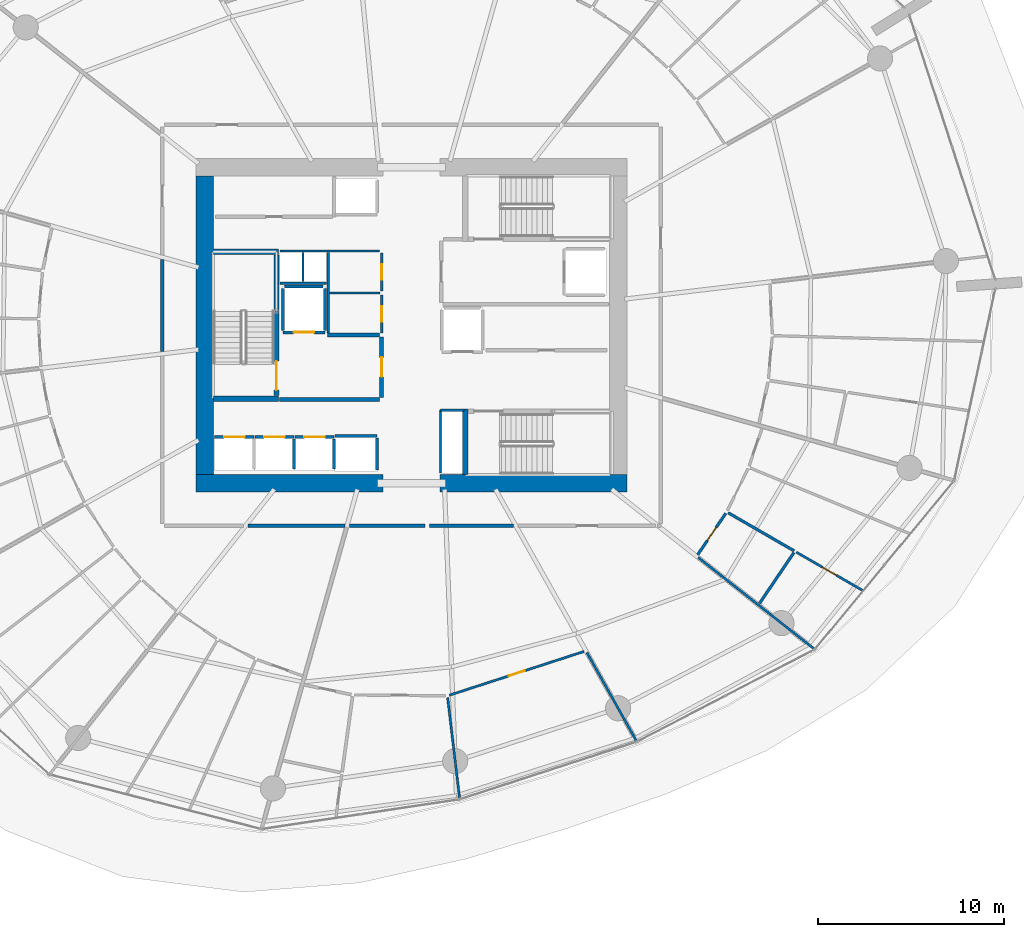
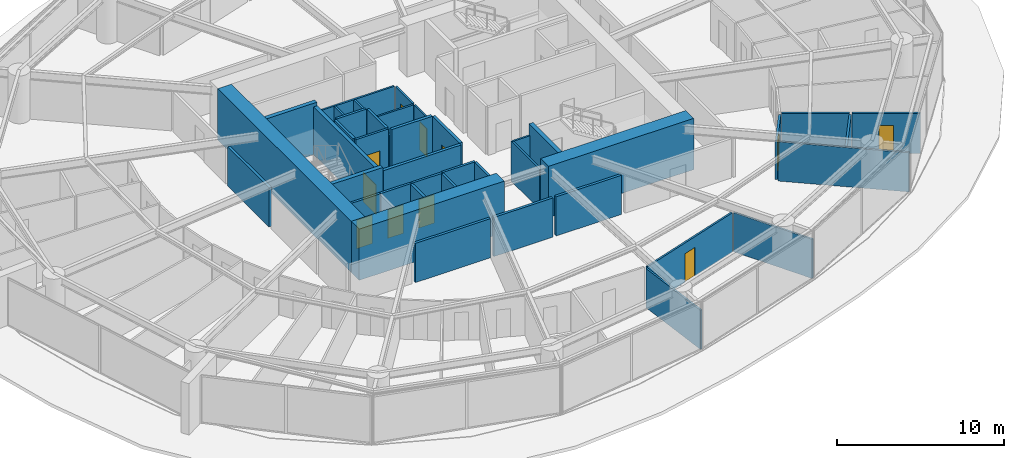
# One storey, part 18 of 22: 42 walls, 11 doors, 11 openings.
"""IFC4 building model written with IfcOpenShell, lengths in metres."""

import ifcopenshell
import ifcopenshell.guid

model = None  # the IFC model being written
_history = None  # IfcOwnerHistory: only IFC2X3 demands one
_inside = {}  # id of a spatial element -> (the spatial element, [elements in it])
_under = {}  # id of a project, library or spatial element -> (it, [spatial elements below it])
_declared = {}  # id of a project -> (the project, [libraries it declares])
_typed = {}  # id of a type object -> (the type object, [elements of that type])
_made_of = {}  # id of a material, layer set ... -> (it, [elements and type objects made of it])


def new_model(schema):
    """Start an empty IFC model of exactly this schema.

    Asked for "IFC4X3", IfcOpenShell would pick the latest addendum, in which some entities
    have other attributes; the version numbers below select the first issue.
    IFC2X3 requires an IfcOwnerHistory on every rooted entity: one is made here for all.
    """
    global model, _history
    if schema == "IFC4X3":
        model = ifcopenshell.file(schema_version=(4, 3, 0, 0))
    else:
        model = ifcopenshell.file(schema=schema)
    _inside.clear()
    _under.clear()
    _declared.clear()
    _typed.clear()
    _made_of.clear()
    _history = None
    if model.schema == "IFC2X3":
        org = make("IfcOrganization", Name="unknown")
        user = make(
            "IfcPersonAndOrganization",
            ThePerson=make("IfcPerson", FamilyName="unknown"),
            TheOrganization=org,
        )
        app = make(
            "IfcApplication",
            ApplicationDeveloper=org,
            Version="unknown",
            ApplicationFullName="unknown",
            ApplicationIdentifier="unknown",
        )
        _history = make(
            "IfcOwnerHistory",
            OwningUser=user,
            OwningApplication=app,
            ChangeAction="ADDED",
            CreationDate=0,
        )
    return model


def make(cls, **values):
    """One entity of the class cls with the attributes given. An attribute that is None is left unset."""
    return model.create_entity(
        cls, **{name: value for name, value in values.items() if value is not None}
    )


def rooted(cls, **values):
    """An entity with a GlobalId (a new one), such as an element, a storey or a relation."""
    return make(cls, GlobalId=ifcopenshell.guid.new(), OwnerHistory=_history, **values)


def si_unit(unit_type, name, prefix=None):
    """IfcSIUnit, for example si_unit("LENGTHUNIT", "METRE", prefix="MILLI")."""
    return make("IfcSIUnit", UnitType=unit_type, Prefix=prefix, Name=name)


def assignment(units):
    """IfcUnitAssignment: the units of a project."""
    return None if units is None else make("IfcUnitAssignment", Units=units)


def point(xyz):
    """IfcCartesianPoint."""
    return None if xyz is None else make("IfcCartesianPoint", Coordinates=xyz)


def direction(xyz):
    """IfcDirection."""
    return None if xyz is None else make("IfcDirection", DirectionRatios=xyz)


def frame(location, z_axis=None, x_axis=None):
    """IfcAxis2Placement3D, a coordinate frame: its origin and axes. An axis left out is left unset."""
    return make(
        "IfcAxis2Placement3D",
        Location=point(location),
        Axis=direction(z_axis),
        RefDirection=direction(x_axis),
    )


def frame_2d(location, x_axis=None):
    """IfcAxis2Placement2D, a coordinate frame in the plane: its origin and x axis."""
    return make(
        "IfcAxis2Placement2D", Location=point(location), RefDirection=direction(x_axis)
    )


def origin():
    """The frame at (0, 0, 0) with its axes left unset."""
    return frame((0.0, 0.0, 0.0))


def place(relative_to, where):
    """IfcLocalPlacement: puts the frame where relative to a parent placement (None: the world)."""
    return make(
        "IfcLocalPlacement", PlacementRelTo=relative_to, RelativePlacement=where
    )


def context(
    kind, dimensions, precision=None, world=None, true_north=None, identifier=None
):
    """IfcGeometricRepresentationContext, for example the 3D "Model" context."""
    return make(
        "IfcGeometricRepresentationContext",
        ContextIdentifier=identifier,
        ContextType=kind,
        CoordinateSpaceDimension=dimensions,
        Precision=precision,
        WorldCoordinateSystem=world,
        TrueNorth=true_north,
    )


def subcontext(parent, identifier, kind, view, scale=None):
    """IfcGeometricRepresentationSubContext, for example "Body" below "Model"."""
    return make(
        "IfcGeometricRepresentationSubContext",
        ContextIdentifier=identifier,
        ContextType=kind,
        ParentContext=parent,
        TargetScale=scale,
        TargetView=view,
    )


def project(units=None, contexts=None):
    """IfcProject with its units and contexts."""
    return rooted(
        "IfcProject",
        Name="project",
        RepresentationContexts=contexts,
        UnitsInContext=assignment(units),
    )


def spatial(cls, under=None, at=None, **own):
    """A site, building, storey or space (cls), placed at a placement, below another one or the project."""
    s = rooted(cls, ObjectPlacement=at, **own)
    if under is not None:
        _under.setdefault(under.id(), (under, []))[1].append(s)
    return s


def profile(cls, at=None, kind="AREA", **sizes):
    """A parametric profile (cls). Its sizes go by their IFC names, for example OverallWidth=200.0."""
    return make(cls, ProfileType=kind, Position=at, **sizes)


def rectangle(**sizes):
    """IfcRectangleProfileDef."""
    return profile("IfcRectangleProfileDef", **sizes)


def extrude(swept, where, along, depth):
    """IfcExtrudedAreaSolid: the profile swept, set in the frame where, extruded along a direction by depth."""
    return make(
        "IfcExtrudedAreaSolid",
        SweptArea=swept,
        Position=where,
        ExtrudedDirection=direction(along),
        Depth=depth,
    )


def shape(context_of_items, identifier, shape_type, items):
    """IfcShapeRepresentation: the items that make up one representation, for example the "Body"."""
    return make(
        "IfcShapeRepresentation",
        ContextOfItems=context_of_items,
        RepresentationIdentifier=identifier,
        RepresentationType=shape_type,
        Items=items,
    )


def material(Name=None, Category=None):
    """IfcMaterial."""
    return make("IfcMaterial", Name=Name, Category=Category)


def layer(
    of_material, thickness, ventilated=None, Name=None, Category=None, Priority=None
):
    """IfcMaterialLayer: one layer of a wall or slab, of a material (None: an air gap)."""
    return make(
        "IfcMaterialLayer",
        Material=of_material,
        LayerThickness=thickness,
        IsVentilated=ventilated,
        Name=Name,
        Category=Category,
        Priority=Priority,
    )


def layer_set(layers, Name=None):
    """IfcMaterialLayerSet."""
    return make("IfcMaterialLayerSet", MaterialLayers=layers, LayerSetName=Name)


def made_of(thing, what):
    """Note that an element or type object is made of a material, layer set ...; save() writes the relation."""
    if what is not None:
        _made_of.setdefault(what.id(), (what, []))[1].append(thing)
    return thing


def type_object(cls, material=None, **own):
    """A type object (cls), such as IfcWallType, which elements share."""
    return made_of(rooted(cls, **own), material)


def element(
    cls,
    number,
    at=None,
    inside=None,
    cuts=None,
    type_object=None,
    material=None,
    context=None,
    identifier="Body",
    shape_type=None,
    held_by="IfcProductDefinitionShape",
    body=None,
    shapes=None,
    **own,
):
    """One element of the class cls, such as IfcWall. Its Tag is "e" and its number.

    at: its placement. inside: the storey or other place that contains it. cuts: it is an
    opening in that element (IfcRelVoidsElement). A single representation is given by context,
    identifier, shape_type and body (its items); several are given by shapes. held_by: the class
    of the entity that holds the representations. save() writes the other relations.
    """
    e = rooted(cls, Tag="e%d" % number, ObjectPlacement=at, **own)
    if body is not None:
        shapes = [shape(context, identifier, shape_type, body)]
    if shapes is not None:
        e.Representation = make(held_by, Representations=shapes)
    if inside is not None:
        _inside.setdefault(inside.id(), (inside, []))[1].append(e)
    if cuts is not None:
        rooted(
            "IfcRelVoidsElement", RelatingBuildingElement=cuts, RelatedOpeningElement=e
        )
    if type_object is not None:
        _typed.setdefault(type_object.id(), (type_object, []))[1].append(e)
    return made_of(e, material)


def fill(opening, filler):
    """IfcRelFillsElement: the door or window that sits in an opening."""
    return rooted(
        "IfcRelFillsElement",
        RelatingOpeningElement=opening,
        RelatedBuildingElement=filler,
    )


def aggregate(whole, parts):
    """IfcRelAggregates: a whole, such as a stair, and the parts it consists of."""
    return rooted("IfcRelAggregates", RelatingObject=whole, RelatedObjects=parts)


def save(model, path):
    """Write the relations noted so far, then the file.

    IfcRelAggregates (storeys below a building ...), IfcRelContainedInSpatialStructure (elements
    in a storey), IfcRelDefinesByType, IfcRelAssociatesMaterial and IfcRelDeclares: one each for
    every whole, place, type object, material and project.
    """
    for whole, parts in _under.values():
        aggregate(whole, parts)
    for where, things in _inside.values():
        rooted(
            "IfcRelContainedInSpatialStructure",
            RelatedElements=things,
            RelatingStructure=where,
        )
    for kind, things in _typed.values():
        rooted("IfcRelDefinesByType", RelatedObjects=things, RelatingType=kind)
    for what, things in _made_of.values():
        rooted("IfcRelAssociatesMaterial", RelatedObjects=things, RelatingMaterial=what)
    for by, libraries in _declared.values():
        rooted("IfcRelDeclares", RelatingContext=by, RelatedDefinitions=libraries)
    model.write(path)


model = new_model("IFC4")

# Units and contexts
model_context = context("Model", 3, precision=1e-05, world=origin(), true_north=direction((0.0, 1.0)))
body_context = subcontext(model_context, "Body", "Model", "MODEL_VIEW")
ifc_project = project(units=[si_unit("LENGTHUNIT", "METRE"), si_unit("AREAUNIT", "SQUARE_METRE"), si_unit("VOLUMEUNIT", "CUBIC_METRE"), si_unit("PLANEANGLEUNIT", "RADIAN"), si_unit("MASSUNIT", "GRAM", prefix="KILO")], contexts=[model_context])

# Site, building, storey
site_placement = place(None, origin())
site = spatial("IfcSite", under=ifc_project, at=site_placement, CompositionType="ELEMENT")
building_placement = place(site_placement, origin())
building = spatial("IfcBuilding", under=site, at=building_placement, Name="Kazma Halo Residences", CompositionType="ELEMENT")
storey_placement = place(building_placement, frame((0.0, 0.0, 26.39990234375)))
storey = spatial("IfcBuildingStorey", under=building, at=storey_placement, Name="L05", CompositionType="ELEMENT", Elevation=26.39990234375)

# Walls
ifc_material_1 = material(Name="Concrete C80/95", Category="concrete")
ifc_layer_1 = layer(ifc_material_1, 0.949951171875)
ifc_layer_set_1 = layer_set([ifc_layer_1], Name="Concrete C80/95")
wall_type_1 = type_object("IfcWallType", Name="WL-CORE-950", PredefinedType="SHEAR", material=ifc_layer_set_1)
wall_1_placement = place(storey_placement, frame((36.85009765625, 33.52490234375, 0.0), z_axis=(0.0, 0.0, 1.0), x_axis=(1.0, 0.0, 0.0)))
element("IfcWall", 1, at=wall_1_placement, inside=storey, type_object=wall_type_1, Name="L05 central core shear wall SW", PredefinedType="SHEAR", context=body_context, shape_type="SweptSolid", body=[
    extrude(rectangle(XDim=10.0498046875, YDim=0.949951171875, at=frame_2d((5.02490234375, 0.0))), origin(), (0.0, 0.0, 1.0), 3.75),
])
wall_2_placement = place(storey_placement, frame((49.949951171875, 33.52490234375, 0.0), z_axis=(0.0, 0.0, 1.0), x_axis=(1.0, 0.0, 0.0)))
element("IfcWall", 2, at=wall_2_placement, inside=storey, type_object=wall_type_1, Name="L05 central core shear wall SE", PredefinedType="SHEAR", context=body_context, shape_type="SweptSolid", body=[
    extrude(rectangle(XDim=10.050048828125, YDim=0.949951171875, at=frame_2d((5.02490234375, 0.0))), origin(), (0.0, 0.0, 1.0), 3.75),
])
wall_3_placement = place(storey_placement, frame((37.324951171875, 34.0, 0.0), z_axis=(0.0, 0.0, 1.0), x_axis=(0.0, 1.0, 0.0)))
element("IfcWall", 3, at=wall_3_placement, inside=storey, type_object=wall_type_1, Name="L05 central core shear wall W", PredefinedType="SHEAR", context=body_context, shape_type="SweptSolid", body=[
    extrude(rectangle(XDim=16.0, YDim=0.949951171875, at=frame_2d((8.0, 0.0))), origin(), (0.0, 0.0, 1.0), 3.75),
])
ifc_material_2 = material(Name="Concrete C60/75", Category="concrete")
ifc_layer_2 = layer(ifc_material_2, 0.280029296875)
ifc_layer_set_2 = layer_set([ifc_layer_2], Name="Concrete C60/75")
wall_type_2 = type_object("IfcWallType", Name="WL-CORE-ST-280", PredefinedType="SHEAR", material=ifc_layer_set_2)
for number, where, z_axis, x_axis, name in (
    (4, (37.800048828125, 38.06005859375, 0.0), (0.0, 0.0, 1.0), (1.0, 0.0, 0.0), "L05 stairwell bearing wall ST01-S"),
    (5, (37.800048828125, 45.93994140625, 0.0), (0.0, 0.0, 1.0), (1.0, 0.0, 0.0), "L05 stairwell bearing wall ST01-N"),
    (6, (51.31005859375, 34.0, 0.0), (0.0, 0.0, 1.0), (0.0, 1.0, 0.0), "L05 stairwell bearing wall ST03-W"),
):
    element("IfcWall", number, at=place(storey_placement, frame(where, z_axis=z_axis, x_axis=x_axis)), inside=storey, type_object=wall_type_2, Name=name, PredefinedType="SHEAR", context=body_context, shape_type="SweptSolid", body=[
        extrude(rectangle(XDim=3.5, YDim=0.280029296875, at=frame_2d((1.75, 0.0))), origin(), (0.0, 0.0, 1.0), 3.75),
    ])
ifc_material_3 = material(Name="Acoustic Twin-Stud Gypsum")
ifc_layer_3 = layer(ifc_material_3, 0.179931640625)
ifc_layer_set_3 = layer_set([ifc_layer_3], Name="Acoustic Twin-Stud Gypsum")
wall_type_3 = type_object("IfcWallType", Name="WL-DEM-180", PredefinedType="PARTITIONING", material=ifc_layer_set_3)
wall_4_placement = place(storey_placement, frame((35.050048828125, 45.5322265625, 0.0), z_axis=(0.0, 0.0, 1.0), x_axis=(0.0, -1.0, 0.0)))
element("IfcWall", 7, at=wall_4_placement, inside=storey, type_object=wall_type_3, Name="L05 Apartment 2 inner wall 6", PredefinedType="PARTITIONING", context=body_context, shape_type="SweptSolid", body=[
    extrude(rectangle(XDim=4.94482421875, YDim=0.179931640625, at=frame_2d((2.472412109375, 0.0))), origin(), (0.0, 0.0, 1.0), 2.8671875),
])
wall_5_placement = place(storey_placement, frame((39.6455078125, 31.25, 0.0), z_axis=(0.0, 0.0, 1.0), x_axis=(1.0, 0.0, 0.0)))
element("IfcWall", 8, at=wall_5_placement, inside=storey, type_object=wall_type_3, Name="L05 Apartment 2 inner wall 9", PredefinedType="PARTITIONING", context=body_context, shape_type="SweptSolid", body=[
    extrude(rectangle(XDim=5.20263671875, YDim=0.179931640625, at=frame_2d((2.601318359375, 0.0))), origin(), (0.0, 0.0, 1.0), 2.8671875),
])
wall_6_placement = place(storey_placement, frame((45.088134765625, 31.25, 0.0), z_axis=(0.0, 0.0, 1.0), x_axis=(1.0, 0.0, 0.0)))
element("IfcWall", 9, at=wall_6_placement, inside=storey, type_object=wall_type_3, Name="L05 Apartment 3 inner wall 10", PredefinedType="PARTITIONING", context=body_context, shape_type="SweptSolid", body=[
    extrude(rectangle(XDim=4.064208984375, YDim=0.179931640625, at=frame_2d((2.0322265625, 0.0))), origin(), (0.0, 0.0, 1.0), 2.8671875),
])
wall_7_placement = place(storey_placement, frame((49.392333984375, 31.25, 0.0), z_axis=(0.0, 0.0, 1.0), x_axis=(1.0, 0.0, 0.0)))
element("IfcWall", 10, at=wall_7_placement, inside=storey, type_object=wall_type_3, Name="L05 Apartment 3 inner wall 11", PredefinedType="PARTITIONING", context=body_context, shape_type="SweptSolid", body=[
    extrude(rectangle(XDim=4.508056640625, YDim=0.179931640625, at=frame_2d((2.25390625, 0.0))), origin(), (0.0, 0.0, 1.0), 2.8671875),
])

# Wall, opening, door
ifc_material_4 = material(Name="Fire-Rated Blockwork Masonry", Category="masonry")
ifc_layer_4 = layer(ifc_material_4, 0.199951171875)
ifc_layer_set_4 = layer_set([ifc_layer_4], Name="Fire-Rated Blockwork Masonry")
wall_type_4 = type_object("IfcWallType", Name="WL-FLB-200", PredefinedType="PARTITIONING", material=ifc_layer_set_4)
wall_8_placement = place(storey_placement, frame((37.864990234375, 36.0048828125, 0.0), z_axis=(0.0, 0.0, 1.0), x_axis=(1.0, 0.0, 0.0)))
wall_8 = element("IfcWall", 11, at=wall_8_placement, inside=storey, type_object=wall_type_4, Name="L05 lift shaft PL-01 front wall", PredefinedType="PARTITIONING", context=body_context, shape_type="SweptSolid", body=[
    extrude(rectangle(XDim=2.110107421875, YDim=0.159912109375, at=frame_2d((1.05517578125, 0.0))), origin(), (0.0, 0.0, 1.0), 3.5),
])
opening_1_placement = place(wall_8_placement, frame((0.5048828125, 0.0, 0.0)))
opening_1 = element("IfcOpeningElement", 12, at=opening_1_placement, cuts=wall_8, Name="Opening LD-PL-01", PredefinedType="OPENING", context=body_context, shape_type="SweptSolid", body=[
    extrude(rectangle(XDim=1.10009765625, YDim=2.10009765625, at=frame_2d((0.550048828125, 1.050048828125))), frame((0.0, 0.08984375, 0.0), z_axis=(0.0, -1.0, 0.0), x_axis=(1.0, 0.0, 0.0)), (0.0, 0.0, 1.0), 0.179931640625),
])
ifc_material_5 = material(Name="Stainless Steel Fire-Rated", Category="steel")
door_type_1 = type_object("IfcDoorType", Name="DR-LIFT-SLD-1100", OperationType="DOUBLE_DOOR_SLIDING", PredefinedType="DOOR", material=ifc_material_5)
door_1_placement = place(opening_1_placement, origin())
door_1 = element("IfcDoor", 13, at=door_1_placement, inside=storey, type_object=door_type_1, Name="L05 lift PL-01 sliding landing door", OperationType="DOUBLE_DOOR_SLIDING", OverallHeight=2.10009765625, OverallWidth=1.10009765625, PredefinedType="DOOR", context=body_context, shape_type="SweptSolid", body=[
    extrude(rectangle(XDim=1.10009765625, YDim=2.10009765625, at=frame_2d((0.550048828125, 1.050048828125))), frame((0.0, 0.02490234375, 0.0), z_axis=(0.0, -1.0, 0.0), x_axis=(1.0, 0.0, 0.0)), (0.0, 0.0, 1.0), 0.050048828125),
])
fill(opening_1, door_1)

wall_9_placement = place(storey_placement, frame((40.014892578125, 36.0048828125, 0.0), z_axis=(0.0, 0.0, 1.0), x_axis=(1.0, 0.0, 0.0)))
wall_9 = element("IfcWall", 14, at=wall_9_placement, inside=storey, type_object=wall_type_4, Name="L05 lift shaft PL-02 front wall", PredefinedType="PARTITIONING", context=body_context, shape_type="SweptSolid", body=[
    extrude(rectangle(XDim=2.110107421875, YDim=0.159912109375, at=frame_2d((1.05517578125, 0.0))), origin(), (0.0, 0.0, 1.0), 3.5),
])
opening_2_placement = place(wall_9_placement, frame((0.5048828125, 0.0, 0.0)))
opening_2 = element("IfcOpeningElement", 15, at=opening_2_placement, cuts=wall_9, Name="Opening LD-PL-02", PredefinedType="OPENING", context=body_context, shape_type="SweptSolid", body=[
    extrude(rectangle(XDim=1.10009765625, YDim=2.10009765625, at=frame_2d((0.550048828125, 1.050048828125))), frame((0.0, 0.08984375, 0.0), z_axis=(0.0, -1.0, 0.0), x_axis=(1.0, 0.0, 0.0)), (0.0, 0.0, 1.0), 0.179931640625),
])
door_2_placement = place(opening_2_placement, origin())
door_2 = element("IfcDoor", 16, at=door_2_placement, inside=storey, type_object=door_type_1, Name="L05 lift PL-02 sliding landing door", OperationType="DOUBLE_DOOR_SLIDING", OverallHeight=2.10009765625, OverallWidth=1.10009765625, PredefinedType="DOOR", context=body_context, shape_type="SweptSolid", body=[
    extrude(rectangle(XDim=1.10009765625, YDim=2.10009765625, at=frame_2d((0.550048828125, 1.050048828125))), frame((0.0, 0.02490234375, 0.0), z_axis=(0.0, -1.0, 0.0), x_axis=(1.0, 0.0, 0.0)), (0.0, 0.0, 1.0), 0.050048828125),
])
fill(opening_2, door_2)

# Wall
wall_10_placement = place(storey_placement, frame((42.125, 34.294921875, 0.0), z_axis=(0.0, 0.0, 1.0), x_axis=(0.0, 1.0, 0.0)))
element("IfcWall", 17, at=wall_10_placement, inside=storey, type_object=wall_type_4, Name="L05 lift shaft PL-02 side wall E", PredefinedType="PARTITIONING", context=body_context, shape_type="SweptSolid", body=[
    extrude(rectangle(XDim=1.610107421875, YDim=0.159912109375, at=frame_2d((0.80517578125, 0.0))), origin(), (0.0, 0.0, 1.0), 3.5),
])

# Wall, opening, door
wall_11_placement = place(storey_placement, frame((42.1650390625, 36.0048828125, 0.0), z_axis=(0.0, 0.0, 1.0), x_axis=(1.0, 0.0, 0.0)))
wall_11 = element("IfcWall", 18, at=wall_11_placement, inside=storey, type_object=wall_type_4, Name="L05 lift shaft PL-03 front wall", PredefinedType="PARTITIONING", context=body_context, shape_type="SweptSolid", body=[
    extrude(rectangle(XDim=2.10986328125, YDim=0.159912109375, at=frame_2d((1.054931640625, 0.0))), origin(), (0.0, 0.0, 1.0), 3.5),
])
opening_3_placement = place(wall_11_placement, frame((0.5048828125, 0.0, 0.0)))
opening_3 = element("IfcOpeningElement", 19, at=opening_3_placement, cuts=wall_11, Name="Opening LD-PL-03", PredefinedType="OPENING", context=body_context, shape_type="SweptSolid", body=[
    extrude(rectangle(XDim=1.10009765625, YDim=2.10009765625, at=frame_2d((0.550048828125, 1.050048828125))), frame((0.0, 0.08984375, 0.0), z_axis=(0.0, -1.0, 0.0), x_axis=(1.0, 0.0, 0.0)), (0.0, 0.0, 1.0), 0.179931640625),
])
door_3_placement = place(opening_3_placement, origin())
door_3 = element("IfcDoor", 20, at=door_3_placement, inside=storey, type_object=door_type_1, Name="L05 lift PL-03 sliding landing door", OperationType="DOUBLE_DOOR_SLIDING", OverallHeight=2.10009765625, OverallWidth=1.10009765625, PredefinedType="DOOR", context=body_context, shape_type="SweptSolid", body=[
    extrude(rectangle(XDim=1.10009765625, YDim=2.10009765625, at=frame_2d((0.550048828125, 1.050048828125))), frame((0.0, 0.02490234375, 0.0), z_axis=(0.0, -1.0, 0.0), x_axis=(1.0, 0.0, 0.0)), (0.0, 0.0, 1.0), 0.050048828125),
])
fill(opening_3, door_3)

# Walls
wall_12_placement = place(storey_placement, frame((44.27490234375, 34.294921875, 0.0), z_axis=(0.0, 0.0, 1.0), x_axis=(0.0, 1.0, 0.0)))
element("IfcWall", 21, at=wall_12_placement, inside=storey, type_object=wall_type_4, Name="L05 lift shaft PL-03 side wall E", PredefinedType="PARTITIONING", context=body_context, shape_type="SweptSolid", body=[
    extrude(rectangle(XDim=1.610107421875, YDim=0.159912109375, at=frame_2d((0.80517578125, 0.0))), origin(), (0.0, 0.0, 1.0), 3.5),
])
wall_13_placement = place(storey_placement, frame((44.320068359375, 36.054931640625, 0.0), z_axis=(0.0, 0.0, 1.0), x_axis=(1.0, 0.0, 0.0)))
element("IfcWall", 22, at=wall_13_placement, inside=storey, type_object=wall_type_4, Name="L05 lift shaft PX-02 front wall", PredefinedType="PARTITIONING", context=body_context, shape_type="SweptSolid", body=[
    extrude(rectangle(XDim=2.260009765625, YDim=0.159912109375, at=frame_2d((1.1298828125, 0.0))), origin(), (0.0, 0.0, 1.0), 3.5),
])
wall_14_placement = place(storey_placement, frame((46.580078125, 34.2451171875, 0.0), z_axis=(0.0, 0.0, 1.0), x_axis=(0.0, 1.0, 0.0)))
element("IfcWall", 23, at=wall_14_placement, inside=storey, type_object=wall_type_4, Name="L05 lift shaft PX-02 side wall E", PredefinedType="PARTITIONING", context=body_context, shape_type="SweptSolid", body=[
    extrude(rectangle(XDim=1.7099609375, YDim=0.159912109375, at=frame_2d((0.85498046875, 0.0))), origin(), (0.0, 0.0, 1.0), 3.5),
])

# Wall, opening, door
wall_15_placement = place(storey_placement, frame((43.780029296875, 41.6201171875, 0.0), z_axis=(0.0, 0.0, 1.0), x_axis=(-1.0, 0.0, 0.0)))
wall_15 = element("IfcWall", 24, at=wall_15_placement, inside=storey, type_object=wall_type_4, Name="L05 lift shaft FL-01 front wall", PredefinedType="PARTITIONING", context=body_context, shape_type="SweptSolid", body=[
    extrude(rectangle(XDim=2.260009765625, YDim=0.159912109375, at=frame_2d((1.1298828125, 0.0))), origin(), (0.0, 0.0, 1.0), 3.5),
])
opening_4_placement = place(wall_15_placement, frame((0.580078125, 0.0, 0.0)))
opening_4 = element("IfcOpeningElement", 25, at=opening_4_placement, cuts=wall_15, Name="Opening LD-FL-01", PredefinedType="OPENING", context=body_context, shape_type="SweptSolid", body=[
    extrude(rectangle(XDim=1.10009765625, YDim=2.10009765625, at=frame_2d((0.550048828125, 1.050048828125))), frame((0.0, 0.08984375, 0.0), z_axis=(0.0, -1.0, 0.0), x_axis=(1.0, 0.0, 0.0)), (0.0, 0.0, 1.0), 0.179931640625),
])
door_4_placement = place(opening_4_placement, origin())
door_4 = element("IfcDoor", 26, at=door_4_placement, inside=storey, type_object=door_type_1, Name="L05 lift FL-01 sliding landing door", OperationType="DOUBLE_DOOR_SLIDING", OverallHeight=2.10009765625, OverallWidth=1.10009765625, PredefinedType="DOOR", context=body_context, shape_type="SweptSolid", body=[
    extrude(rectangle(XDim=1.10009765625, YDim=2.10009765625, at=frame_2d((0.550048828125, 1.050048828125))), frame((0.0, 0.02490234375, 0.0), z_axis=(0.0, -1.0, 0.0), x_axis=(1.0, 0.0, 0.0)), (0.0, 0.0, 1.0), 0.050048828125),
])
fill(opening_4, door_4)

# Walls
for number, where, z_axis, x_axis, name in (
    (27, (43.780029296875, 41.719970703125, 0.0), (0.0, 0.0, 1.0), (0.0, 1.0, 0.0), "L05 lift shaft FL-01 side wall E"),
    (28, (41.52001953125, 41.719970703125, 0.0), (0.0, 0.0, 1.0), (0.0, 1.0, 0.0), "L05 lift shaft FL-01 side wall W"),
):
    element("IfcWall", number, at=place(storey_placement, frame(where, z_axis=z_axis, x_axis=x_axis)), inside=storey, type_object=wall_type_4, Name=name, PredefinedType="PARTITIONING", context=body_context, shape_type="SweptSolid", body=[
        extrude(rectangle(XDim=2.260009765625, YDim=0.159912109375, at=frame_2d((1.1298828125, 0.0))), origin(), (0.0, 0.0, 1.0), 3.5),
    ])
wall_16_placement = place(storey_placement, frame((41.6201171875, 44.080078125, 0.0), z_axis=(0.0, 0.0, 1.0), x_axis=(1.0, 0.0, 0.0)))
element("IfcWall", 29, at=wall_16_placement, inside=storey, type_object=wall_type_4, Name="L05 lift shaft FL-01 side wall N", PredefinedType="PARTITIONING", context=body_context, shape_type="SweptSolid", body=[
    extrude(rectangle(XDim=2.059814453125, YDim=0.159912109375, at=frame_2d((1.02978515625, 0.0))), origin(), (0.0, 0.0, 1.0), 3.5),
])
wall_17_placement = place(storey_placement, frame((41.35009765625, 38.02001953125, 0.0), z_axis=(0.0, 0.0, 1.0), x_axis=(1.0, 0.0, 0.0)))
element("IfcWall", 30, at=wall_17_placement, inside=storey, type_object=wall_type_4, Name="L05 west firefighting lobby south smoke wall", PredefinedType="PARTITIONING", context=body_context, shape_type="SweptSolid", body=[
    extrude(rectangle(XDim=5.369873046875, YDim=0.199951171875, at=frame_2d((2.68505859375, 0.0))), origin(), (0.0, 0.0, 1.0), 3.5),
])
wall_18_placement = place(storey_placement, frame((43.919921875, 41.47998046875, 0.0), z_axis=(0.0, 0.0, 1.0), x_axis=(1.0, 0.0, 0.0)))
element("IfcWall", 31, at=wall_18_placement, inside=storey, type_object=wall_type_4, Name="L05 west firefighting lobby north smoke wall", PredefinedType="PARTITIONING", context=body_context, shape_type="SweptSolid", body=[
    extrude(rectangle(XDim=2.800048828125, YDim=0.199951171875, at=frame_2d((1.39990234375, 0.0))), origin(), (0.0, 0.0, 1.0), 3.5),
])

# Wall, opening, door
wall_19_placement = place(storey_placement, frame((46.820068359375, 38.1201171875, 0.0), z_axis=(0.0, 0.0, 1.0), x_axis=(0.0, 1.0, 0.0)))
wall_19 = element("IfcWall", 32, at=wall_19_placement, inside=storey, type_object=wall_type_4, Name="L05 west firefighting lobby smoke wall", PredefinedType="PARTITIONING", context=body_context, shape_type="SweptSolid", body=[
    extrude(rectangle(XDim=3.259765625, YDim=0.199951171875, at=frame_2d((1.6298828125, 0.0))), origin(), (0.0, 0.0, 1.0), 3.5),
])
opening_5_placement = place(wall_19_placement, frame((1.10498046875, 0.0, 0.0)))
opening_5 = element("IfcOpeningElement", 33, at=opening_5_placement, cuts=wall_19, Name="Opening D-FLW", PredefinedType="OPENING", context=body_context, shape_type="SweptSolid", body=[
    extrude(rectangle(XDim=1.050048828125, YDim=2.10009765625, at=frame_2d((0.52490234375, 1.050048828125))), frame((0.0, 0.10986328125, 0.0), z_axis=(0.0, -1.0, 0.0), x_axis=(1.0, 0.0, 0.0)), (0.0, 0.0, 1.0), 0.219970703125),
])
ifc_material_6 = material(Name="Fire-Rated Steel Leaf", Category="steel")
door_type_2 = type_object("IfcDoorType", Name="DR-FD90-1050", OperationType="NOTDEFINED", PredefinedType="DOOR", material=ifc_material_6)
door_5_placement = place(opening_5_placement, origin())
door_5 = element("IfcDoor", 34, at=door_5_placement, inside=storey, type_object=door_type_2, Name="L05 west firefighting lobby smoke door", OperationType="SINGLE_SWING_RIGHT", OverallHeight=2.10009765625, OverallWidth=1.050048828125, PredefinedType="DOOR", context=body_context, shape_type="SweptSolid", body=[
    extrude(rectangle(XDim=1.050048828125, YDim=2.10009765625, at=frame_2d((0.52490234375, 1.050048828125))), frame((0.0, 0.02490234375, 0.0), z_axis=(0.0, -1.0, 0.0), x_axis=(1.0, 0.0, 0.0)), (0.0, 0.0, 1.0), 0.050048828125),
])
fill(opening_5, door_5)

# Walls
ifc_material_7 = material(Name="Gypsum Plasterboard Partition")
ifc_layer_5 = layer(ifc_material_7, 0.125)
ifc_layer_set_5 = layer_set([ifc_layer_5], Name="Gypsum Plasterboard Partition")
wall_type_5 = type_object("IfcWallType", Name="WL-PART-125", PredefinedType="PARTITIONING", material=ifc_layer_set_5)
wall_20_placement = place(storey_placement, frame((41.360107421875, 45.97998046875, 0.0), z_axis=(0.0, 0.0, 1.0), x_axis=(1.0, 0.0, 0.0)))
element("IfcWall", 35, at=wall_20_placement, inside=storey, type_object=wall_type_5, Name="L05 core north riser wall", PredefinedType="PARTITIONING", context=body_context, shape_type="SweptSolid", body=[
    extrude(rectangle(XDim=5.35986328125, YDim=0.125, at=frame_2d((2.679931640625, 0.0))), origin(), (0.0, 0.0, 1.0), 2.940185546875),
])
wall_21_placement = place(storey_placement, frame((41.360107421875, 44.260009765625, 0.0), z_axis=(0.0, 0.0, 1.0), x_axis=(1.0, 0.0, 0.0)))
element("IfcWall", 36, at=wall_21_placement, inside=storey, type_object=wall_type_5, Name="L05 core riser south wall", PredefinedType="PARTITIONING", context=body_context, shape_type="SweptSolid", body=[
    extrude(rectangle(XDim=2.5, YDim=0.125, at=frame_2d((1.25, 0.0))), origin(), (0.0, 0.0, 1.0), 2.940185546875),
])
wall_22_placement = place(storey_placement, frame((42.60009765625, 44.35009765625, 0.0), z_axis=(0.0, 0.0, 1.0), x_axis=(0.0, 1.0, 0.0)))
element("IfcWall", 37, at=wall_22_placement, inside=storey, type_object=wall_type_5, Name="L05 core riser divider wall", PredefinedType="PARTITIONING", context=body_context, shape_type="SweptSolid", body=[
    extrude(rectangle(XDim=1.5498046875, YDim=0.125, at=frame_2d((0.77490234375, 0.0))), origin(), (0.0, 0.0, 1.0), 2.940185546875),
])
wall_23_placement = place(storey_placement, frame((49.97998046875, 34.06005859375, 0.0), z_axis=(0.0, 0.0, 1.0), x_axis=(0.0, 1.0, 0.0)))
element("IfcWall", 38, at=wall_23_placement, inside=storey, type_object=wall_type_5, Name="L05 standpipe riser wall", PredefinedType="PARTITIONING", context=body_context, shape_type="SweptSolid", body=[
    extrude(rectangle(XDim=3.39990234375, YDim=0.125, at=frame_2d((1.699951171875, 0.0))), origin(), (0.0, 0.0, 1.0), 2.940185546875),
])
wall_24_placement = place(storey_placement, frame((49.97998046875, 37.43994140625, 0.0), z_axis=(0.0, 0.0, 1.0), x_axis=(1.0, 0.0, 0.0)))
element("IfcWall", 39, at=wall_24_placement, inside=storey, type_object=wall_type_5, Name="L05 standpipe riser north wall", PredefinedType="PARTITIONING", context=body_context, shape_type="SweptSolid", body=[
    extrude(rectangle(XDim=1.260009765625, YDim=0.125, at=frame_2d((0.6298828125, 0.0))), origin(), (0.0, 0.0, 1.0), 2.940185546875),
])
wall_25_placement = place(storey_placement, frame((43.949951171875, 41.580078125, 0.0), z_axis=(0.0, 0.0, 1.0), x_axis=(0.0, 1.0, 0.0)))
element("IfcWall", 40, at=wall_25_placement, inside=storey, type_object=wall_type_5, Name="L05 core service west wall", PredefinedType="PARTITIONING", context=body_context, shape_type="SweptSolid", body=[
    extrude(rectangle(XDim=4.31982421875, YDim=0.125, at=frame_2d((2.159912109375, 0.0))), origin(), (0.0, 0.0, 1.0), 2.940185546875),
])
wall_26_placement = place(storey_placement, frame((44.030029296875, 43.72998046875, 0.0), z_axis=(0.0, 0.0, 1.0), x_axis=(1.0, 0.0, 0.0)))
element("IfcWall", 41, at=wall_26_placement, inside=storey, type_object=wall_type_5, Name="L05 switch/IDF divider", PredefinedType="PARTITIONING", context=body_context, shape_type="SweptSolid", body=[
    extrude(rectangle(XDim=2.7099609375, YDim=0.125, at=frame_2d((1.35498046875, 0.0))), origin(), (0.0, 0.0, 1.0), 2.940185546875),
])

# Wall, opening, door
wall_27_placement = place(storey_placement, frame((46.820068359375, 41.580078125, 0.0), z_axis=(0.0, 0.0, 1.0), x_axis=(0.0, 1.0, 0.0)))
wall_27 = element("IfcWall", 42, at=wall_27_placement, inside=storey, type_object=wall_type_5, Name="L05 electrical switch room east wall", PredefinedType="PARTITIONING", context=body_context, shape_type="SweptSolid", body=[
    extrude(rectangle(XDim=2.0498046875, YDim=0.125, at=frame_2d((1.02490234375, 0.0))), origin(), (0.0, 0.0, 1.0), 2.940185546875),
])
opening_6_placement = place(wall_27_placement, frame((0.60009765625, 0.0, 0.0)))
opening_6 = element("IfcOpeningElement", 43, at=opening_6_placement, cuts=wall_27, Name="Opening DS-850", PredefinedType="OPENING", context=body_context, shape_type="SweptSolid", body=[
    extrude(rectangle(XDim=0.85009765625, YDim=2.06005859375, at=frame_2d((0.425048828125, 1.030029296875))), frame((0.0, 0.072509765625, 0.0), z_axis=(0.0, -1.0, 0.0), x_axis=(1.0, 0.0, 0.0)), (0.0, 0.0, 1.0), 0.14501953125),
])
ifc_material_8 = material(Name="Painted Steel Access Leaf", Category="steel")
door_type_3 = type_object("IfcDoorType", Name="DR-SVC-850", OperationType="NOTDEFINED", PredefinedType="DOOR", material=ifc_material_8)
door_6_placement = place(opening_6_placement, origin())
door_6 = element("IfcDoor", 44, at=door_6_placement, inside=storey, type_object=door_type_3, Name="L05 electrical switch room door", OperationType="SINGLE_SWING_RIGHT", OverallHeight=2.06005859375, OverallWidth=0.85009765625, PredefinedType="DOOR", context=body_context, shape_type="SweptSolid", body=[
    extrude(rectangle(XDim=0.85009765625, YDim=2.06005859375, at=frame_2d((0.425048828125, 1.030029296875))), frame((0.0, 0.02490234375, 0.0), z_axis=(0.0, -1.0, 0.0), x_axis=(1.0, 0.0, 0.0)), (0.0, 0.0, 1.0), 0.050048828125),
])
fill(opening_6, door_6)

wall_28_placement = place(storey_placement, frame((46.820068359375, 43.830078125, 0.0), z_axis=(0.0, 0.0, 1.0), x_axis=(0.0, 1.0, 0.0)))
wall_28 = element("IfcWall", 45, at=wall_28_placement, inside=storey, type_object=wall_type_5, Name="L05 telecom IDF room east wall", PredefinedType="PARTITIONING", context=body_context, shape_type="SweptSolid", body=[
    extrude(rectangle(XDim=2.0498046875, YDim=0.125, at=frame_2d((1.02490234375, 0.0))), origin(), (0.0, 0.0, 1.0), 2.940185546875),
])
opening_7_placement = place(wall_28_placement, frame((0.60009765625, 0.0, 0.0)))
opening_7 = element("IfcOpeningElement", 46, at=opening_7_placement, cuts=wall_28, Name="Opening DS-850", PredefinedType="OPENING", context=body_context, shape_type="SweptSolid", body=[
    extrude(rectangle(XDim=0.85009765625, YDim=2.06005859375, at=frame_2d((0.425048828125, 1.030029296875))), frame((0.0, 0.072509765625, 0.0), z_axis=(0.0, -1.0, 0.0), x_axis=(1.0, 0.0, 0.0)), (0.0, 0.0, 1.0), 0.14501953125),
])
door_7_placement = place(opening_7_placement, origin())
door_7 = element("IfcDoor", 47, at=door_7_placement, inside=storey, type_object=door_type_3, Name="L05 telecom IDF room door", OperationType="SINGLE_SWING_LEFT", OverallHeight=2.06005859375, OverallWidth=0.85009765625, PredefinedType="DOOR", context=body_context, shape_type="SweptSolid", body=[
    extrude(rectangle(XDim=0.85009765625, YDim=2.06005859375, at=frame_2d((0.425048828125, 1.030029296875))), frame((0.0, 0.02490234375, 0.0), z_axis=(0.0, -1.0, 0.0), x_axis=(1.0, 0.0, 0.0)), (0.0, 0.0, 1.0), 0.050048828125),
])
fill(opening_7, door_7)

# Walls
for number, where, z_axis, x_axis, name in (
    (48, (50.365234375, 22.0166015625, 0.0), (0.0, 0.0, 1.0), (0.117503830854, -0.993072429249, 0.0), "L05 Apartment 3 radial partition 11"),
    (49, (57.83251953125, 24.44287109375, 0.0), (0.0, 0.0, 1.0), (0.488621028367, -0.872496126431, 0.0), "L05 Apartment 3 living radial partition 11"),
):
    element("IfcWall", number, at=place(storey_placement, frame(where, z_axis=z_axis, x_axis=x_axis)), inside=storey, type_object=wall_type_5, Name=name, PredefinedType="PARTITIONING", context=body_context, shape_type="SweptSolid", body=[
        extrude(rectangle(XDim=5.47265625, YDim=0.125, at=frame_2d((2.736328125, 0.0))), origin(), (0.0, 0.0, 1.0), 2.8671875),
    ])

# Wall, opening, door
wall_29_placement = place(storey_placement, frame((50.4580078125, 22.14990234375, 0.0), z_axis=(0.0, 0.0, 1.0), x_axis=(0.951061002784, 0.309003186042, 0.0)))
wall_29 = element("IfcWall", 50, at=wall_29_placement, inside=storey, type_object=wall_type_5, Name="L05 Apartment 3 East Master Bedroom gallery wall", PredefinedType="PARTITIONING", context=body_context, shape_type="SweptSolid", body=[
    extrude(rectangle(XDim=7.5927734375, YDim=0.125, at=frame_2d((3.79638671875, 0.0))), origin(), (0.0, 0.0, 1.0), 2.8671875),
])
opening_8_placement = place(wall_29_placement, frame((3.34619140625, 0.0, 0.0)))
opening_8 = element("IfcOpeningElement", 51, at=opening_8_placement, cuts=wall_29, Name="Opening DI-950", PredefinedType="OPENING", context=body_context, shape_type="SweptSolid", body=[
    extrude(rectangle(XDim=0.89990234375, YDim=2.080078125, at=frame_2d((0.449951171875, 1.0400390625))), frame((0.0, 0.072509765625, 0.0), z_axis=(0.0, -1.0, 0.0), x_axis=(1.0, 0.0, 0.0)), (0.0, 0.0, 1.0), 0.14501953125),
])
ifc_material_9 = material(Name="Timber Veneer Flush Leaf", Category="wood")
door_type_4 = type_object("IfcDoorType", Name="DR-INT-950", OperationType="NOTDEFINED", PredefinedType="DOOR", material=ifc_material_9)
door_8_placement = place(opening_8_placement, origin())
door_8 = element("IfcDoor", 52, at=door_8_placement, inside=storey, type_object=door_type_4, Name="L05 Apartment 3 East Master Bedroom door", OperationType="SINGLE_SWING_LEFT", OverallHeight=2.080078125, OverallWidth=0.89990234375, PredefinedType="DOOR", context=body_context, shape_type="SweptSolid", body=[
    extrude(rectangle(XDim=0.89990234375, YDim=2.080078125, at=frame_2d((0.449951171875, 1.0400390625))), frame((0.0, 0.02490234375, 0.0), z_axis=(0.0, -1.0, 0.0), x_axis=(1.0, 0.0, 0.0)), (0.0, 0.0, 1.0), 0.050048828125),
])
fill(opening_8, door_8)

# Wall
wall_30_placement = place(storey_placement, frame((63.802978515625, 29.5419921875, 0.0), z_axis=(0.0, 0.0, 1.0), x_axis=(0.785316547054, -0.619094436191, 0.0)))
element("IfcWall", 53, at=wall_30_placement, inside=storey, type_object=wall_type_5, Name="L05 Apartment 3 radial partition 13", PredefinedType="PARTITIONING", context=body_context, shape_type="SweptSolid", body=[
    extrude(rectangle(XDim=7.948974609375, YDim=0.125, at=frame_2d((3.974609375, 0.0))), origin(), (0.0, 0.0, 1.0), 2.8671875),
])

# Wall, opening, door
wall_31_placement = place(storey_placement, frame((69.06982421875, 29.827880859375, 0.0), z_axis=(0.0, 0.0, 1.0), x_axis=(0.865913497337, -0.50019377758, 0.0)))
wall_31 = element("IfcWall", 54, at=wall_31_placement, inside=storey, type_object=wall_type_5, Name="L05 Apartment 3 North Walk-In Wardrobe partition wall", PredefinedType="PARTITIONING", context=body_context, shape_type="SweptSolid", body=[
    extrude(rectangle(XDim=4.124755859375, YDim=0.125, at=frame_2d((2.0625, 0.0))), origin(), (0.0, 0.0, 1.0), 2.940185546875),
])
opening_9_placement = place(wall_31_placement, frame((1.637451171875, 0.0, 0.0)))
opening_9 = element("IfcOpeningElement", 55, at=opening_9_placement, cuts=wall_31, Name="Opening DB-900", PredefinedType="OPENING", context=body_context, shape_type="SweptSolid", body=[
    extrude(rectangle(XDim=0.85009765625, YDim=2.06005859375, at=frame_2d((0.425048828125, 1.030029296875))), frame((0.0, 0.072509765625, 0.0), z_axis=(0.0, -1.0, 0.0), x_axis=(1.0, 0.0, 0.0)), (0.0, 0.0, 1.0), 0.14501953125),
])
ifc_material_10 = material(Name="Moisture-Sealed Timber Leaf", Category="wood")
door_type_5 = type_object("IfcDoorType", Name="DR-BTH-900", OperationType="NOTDEFINED", PredefinedType="DOOR", material=ifc_material_10)
door_9_placement = place(opening_9_placement, origin())
door_9 = element("IfcDoor", 56, at=door_9_placement, inside=storey, type_object=door_type_5, Name="L05 Apartment 3 North Walk-In Wardrobe door", OperationType="SINGLE_SWING_RIGHT", OverallHeight=2.06005859375, OverallWidth=0.85009765625, PredefinedType="DOOR", context=body_context, shape_type="SweptSolid", body=[
    extrude(rectangle(XDim=0.85009765625, YDim=2.06005859375, at=frame_2d((0.425048828125, 1.030029296875))), frame((0.0, 0.02490234375, 0.0), z_axis=(0.0, -1.0, 0.0), x_axis=(1.0, 0.0, 0.0)), (0.0, 0.0, 1.0), 0.050048828125),
])
fill(opening_9, door_9)

ifc_material_11 = material(Name="Concrete C50/60", Category="concrete")
ifc_layer_6 = layer(ifc_material_11, 0.25)
ifc_layer_set_6 = layer_set([ifc_layer_6], Name="Concrete C50/60")
wall_type_6 = type_object("IfcWallType", Name="WL-SHF-250", PredefinedType="SOLIDWALL", material=ifc_layer_set_6)
wall_32_placement = place(storey_placement, frame((41.179931640625, 38.219970703125, 0.0), z_axis=(0.0, 0.0, 1.0), x_axis=(0.0, 1.0, 0.0)))
wall_32 = element("IfcWall", 57, at=wall_32_placement, inside=storey, type_object=wall_type_6, Name="L05 exit stair ST-01 enclosure wall", PredefinedType="SOLIDWALL", context=body_context, shape_type="SweptSolid", body=[
    extrude(rectangle(XDim=7.56005859375, YDim=0.25, at=frame_2d((3.780029296875, 0.0))), origin(), (0.0, 0.0, 1.0), 3.5),
])
opening_10_placement = place(wall_32_placement, frame((0.300048828125, 0.0, 0.0)))
opening_10 = element("IfcOpeningElement", 58, at=opening_10_placement, cuts=wall_32, Name="Opening D-ST1", PredefinedType="OPENING", context=body_context, shape_type="SweptSolid", body=[
    extrude(rectangle(XDim=1.550048828125, YDim=2.14990234375, at=frame_2d((0.77490234375, 1.074951171875))), frame((0.0, 0.135009765625, 0.0), z_axis=(0.0, -1.0, 0.0), x_axis=(1.0, 0.0, 0.0)), (0.0, 0.0, 1.0), 0.27001953125),
])
ifc_material_12 = material(Name="Fire-Rated Double Steel Leaf", Category="steel")
door_type_6 = type_object("IfcDoorType", Name="DR-FD90-1550", OperationType="NOTDEFINED", PredefinedType="DOOR", material=ifc_material_12)
door_10_placement = place(opening_10_placement, origin())
door_10 = element("IfcDoor", 59, at=door_10_placement, inside=storey, type_object=door_type_6, Name="L05 exit stair ST-01 fire door", OperationType="DOUBLE_DOOR_SINGLE_SWING", OverallHeight=2.14990234375, OverallWidth=1.550048828125, PredefinedType="DOOR", context=body_context, shape_type="SweptSolid", body=[
    extrude(rectangle(XDim=1.550048828125, YDim=2.14990234375, at=frame_2d((0.77490234375, 1.074951171875))), frame((0.0, 0.02490234375, 0.0), z_axis=(0.0, -1.0, 0.0), x_axis=(1.0, 0.0, 0.0)), (0.0, 0.0, 1.0), 0.050048828125),
])
fill(opening_10, door_10)

ifc_material_13 = material(Name="Moisture-Resistant Gypsum")
ifc_layer_7 = layer(ifc_material_13, 0.14990234375)
ifc_layer_set_7 = layer_set([ifc_layer_7], Name="Moisture-Resistant Gypsum")
wall_type_7 = type_object("IfcWallType", Name="WL-WET-150", PredefinedType="PARTITIONING", material=ifc_layer_set_7)
wall_33_placement = place(storey_placement, frame((63.780517578125, 29.686767578125, 0.0), z_axis=(0.0, 0.0, 1.0), x_axis=(0.561145635053, 0.82771708709, 0.0)))
wall_33 = element("IfcWall", 60, at=wall_33_placement, inside=storey, type_object=wall_type_7, Name="L05 Apartment 3 West En-Suite Bathroom hall wall", PredefinedType="PARTITIONING", context=body_context, shape_type="SweptSolid", body=[
    extrude(rectangle(XDim=2.685302734375, YDim=0.14990234375, at=frame_2d((1.3427734375, 0.0))), origin(), (0.0, 0.0, 1.0), 2.8671875),
])
opening_11_placement = place(wall_33_placement, frame((0.917724609375, 0.0, 0.0)))
opening_11 = element("IfcOpeningElement", 61, at=opening_11_placement, cuts=wall_33, Name="Opening DB-900", PredefinedType="OPENING", context=body_context, shape_type="SweptSolid", body=[
    extrude(rectangle(XDim=0.85009765625, YDim=2.06005859375, at=frame_2d((0.425048828125, 1.030029296875))), frame((0.0, 0.0849609375, 0.0), z_axis=(0.0, -1.0, 0.0), x_axis=(1.0, 0.0, 0.0)), (0.0, 0.0, 1.0), 0.169921875),
])
door_11_placement = place(opening_11_placement, origin())
door_11 = element("IfcDoor", 62, at=door_11_placement, inside=storey, type_object=door_type_5, Name="L05 Apartment 3 West En-Suite Bathroom door", OperationType="SINGLE_SWING_LEFT", OverallHeight=2.06005859375, OverallWidth=0.85009765625, PredefinedType="DOOR", context=body_context, shape_type="SweptSolid", body=[
    extrude(rectangle(XDim=0.85009765625, YDim=2.06005859375, at=frame_2d((0.425048828125, 1.030029296875))), frame((0.0, 0.02490234375, 0.0), z_axis=(0.0, -1.0, 0.0), x_axis=(1.0, 0.0, 0.0)), (0.0, 0.0, 1.0), 0.050048828125),
])
fill(opening_11, door_11)

# Walls
wall_34_placement = place(storey_placement, frame((67.094482421875, 27.07421875, 0.0), z_axis=(0.0, 0.0, 1.0), x_axis=(0.561136770773, 0.827723096504, 0.0)))
element("IfcWall", 63, at=wall_34_placement, inside=storey, type_object=wall_type_7, Name="L05 Apartment 3 West En-Suite Bathroom back wall", PredefinedType="PARTITIONING", context=body_context, shape_type="SweptSolid", body=[
    extrude(rectangle(XDim=3.29150390625, YDim=0.14990234375, at=frame_2d((1.645751953125, 0.0))), origin(), (0.0, 0.0, 1.0), 2.8671875),
])
wall_35_placement = place(storey_placement, frame((65.415771484375, 31.93896484375, 0.0), z_axis=(0.0, 0.0, 1.0), x_axis=(0.865897249189, -0.500221904605, 0.0)))
element("IfcWall", 64, at=wall_35_placement, inside=storey, type_object=wall_type_7, Name="L05 Apartment 3 West En-Suite Bathroom side wall", PredefinedType="PARTITIONING", context=body_context, shape_type="SweptSolid", body=[
    extrude(rectangle(XDim=4.090087890625, YDim=0.14990234375, at=frame_2d((2.044921875, 0.0))), origin(), (0.0, 0.0, 1.0), 2.940185546875),
])

save(model, "model.ifc")
